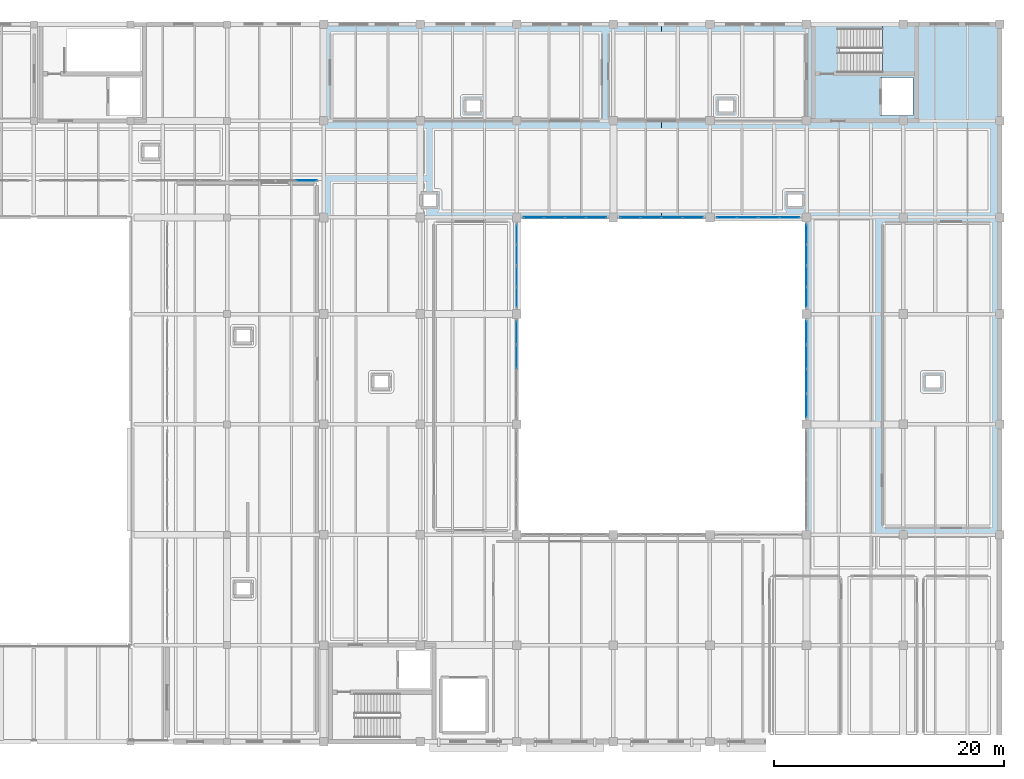
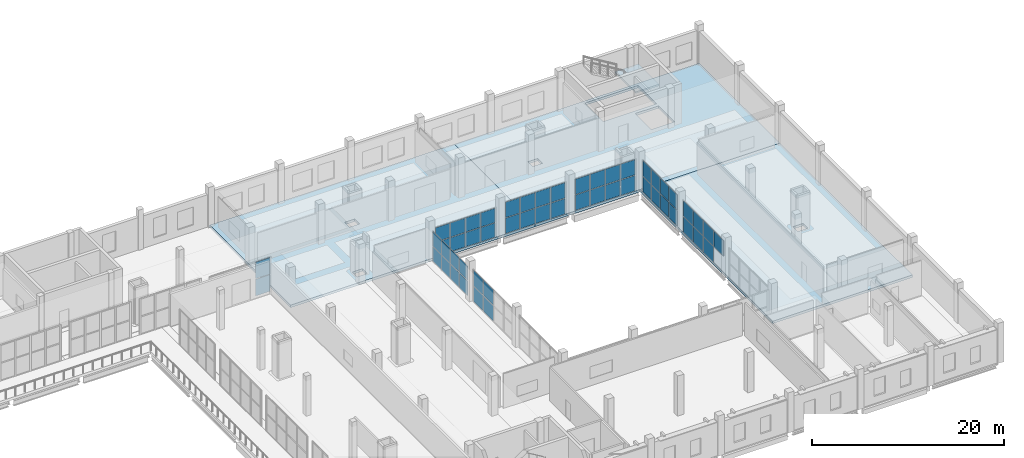
# One storey, part 55 of 77: 53 plates, 4 slabs, 9 elements without a shape of their own.
"""IFC4 building model written with IfcOpenShell, lengths in metres."""

from ifc_helpers import new_model, si_unit, direction, frame, origin, origin_2d, place, context, subcontext, project, spatial, polyline, rectangle, outline, extrude, material, layer, layer_set, type_object, element, aggregate, save


model = new_model("IFC4")

# Units and contexts
model_context = context("Model", 3, precision=1e-05, world=origin(), true_north=direction((0.0, 1.0)))
body_context = subcontext(model_context, "Body", "Model", "MODEL_VIEW")
ifc_project = project(units=[si_unit("LENGTHUNIT", "METRE"), si_unit("AREAUNIT", "SQUARE_METRE"), si_unit("VOLUMEUNIT", "CUBIC_METRE"), si_unit("PLANEANGLEUNIT", "RADIAN"), si_unit("MASSUNIT", "GRAM", prefix="KILO")], contexts=[model_context])

# Site, building, storey
site_placement = place(None, origin())
site = spatial("IfcSite", under=ifc_project, at=site_placement, CompositionType="ELEMENT")
building_placement = place(site_placement, origin())
building = spatial("IfcBuilding", under=site, at=building_placement, Name="Zulmaris Art Gallery", CompositionType="ELEMENT")
storey_placement = place(building_placement, frame((0.0, 0.0, 15.60009765625)))
storey = spatial("IfcBuildingStorey", under=building, at=storey_placement, Name="L03", CompositionType="ELEMENT", Elevation=15.60009765625)

# Curtain wall, plates
ifc_material_1 = material(Name="Unitised Low-E Gallery Curtain Wall", Category="aluminium")
ifc_layer_1 = layer(ifc_material_1, 0.179931640625)
ifc_layer_set_1 = layer_set([ifc_layer_1], Name="Unitised Low-E Gallery Curtain Wall")
curtain_wall_type_1 = type_object("IfcCurtainWallType", Name="CW-CW01", PredefinedType="NOTDEFINED", material=ifc_layer_set_1)
curtain_wall_1_placement = place(storey_placement, origin())
curtain_wall_1 = element("IfcCurtainWall", 1, at=curtain_wall_1_placement, inside=storey, type_object=curtain_wall_type_1, Name="L03 curtain wall 118", PredefinedType="NOTDEFINED")
ifc_material_2 = material(Name="Triple Solar-Control Laminated Glass", Category="glass")
ifc_layer_2 = layer(ifc_material_2, 0.035888671875)
ifc_layer_set_2 = layer_set([ifc_layer_2], Name="Triple Solar-Control Laminated Glass")
plate_type = type_object("IfcPlateType", Name="CWPAN-GLZ", PredefinedType="CURTAIN_PANEL", material=ifc_layer_set_2)
plate_1_placement = place(storey_placement, frame((140.126220703125, 62.0, 0.074951171875), z_axis=(0.0, 0.0, 1.0), x_axis=(1.0, 0.0, 0.0)))
plate_1 = element("IfcPlate", 2, at=plate_1_placement, type_object=plate_type, Name="CW01 panel 4.1", PredefinedType="CURTAIN_PANEL", context=body_context, shape_type="SweptSolid", body=[
    extrude(rectangle(XDim=1.717529296875, YDim=0.031982421875, at=origin_2d()), origin(), (0.0, 0.0, 1.0), 2.107421875),
])
plate_2_placement = place(storey_placement, frame((140.126220703125, 62.0, 2.25732421875), z_axis=(0.0, 0.0, 1.0), x_axis=(1.0, 0.0, 0.0)))
plate_2 = element("IfcPlate", 3, at=plate_2_placement, type_object=plate_type, Name="CW01 panel 4.2", PredefinedType="CURTAIN_PANEL", context=body_context, shape_type="SweptSolid", body=[
    extrude(rectangle(XDim=1.717529296875, YDim=0.031982421875, at=origin_2d()), origin(), (0.0, 0.0, 1.0), 2.107421875),
])
aggregate(curtain_wall_1, [plate_1, plate_2])

ifc_material_3 = material(Name="Courtyard Artists Studio Curtain Wall", Category="aluminium")
ifc_layer_3 = layer(ifc_material_3, 0.179931640625)
ifc_layer_set_3 = layer_set([ifc_layer_3], Name="Courtyard Artists Studio Curtain Wall")
curtain_wall_type_2 = type_object("IfcCurtainWallType", Name="CW-CW04", PredefinedType="NOTDEFINED", material=ifc_layer_set_3)
curtain_wall_2_placement = place(storey_placement, origin())
curtain_wall_2 = element("IfcCurtainWall", 4, at=curtain_wall_2_placement, inside=storey, type_object=curtain_wall_type_2, Name="L03 curtain wall 149", PredefinedType="NOTDEFINED")
plate_3_placement = place(storey_placement, frame((158.39990234375, 46.6650390625, 0.07470703125), z_axis=(0.0, 0.0, 1.0), x_axis=(0.0, 1.0, 0.0)))
plate_3 = element("IfcPlate", 5, at=plate_3_placement, type_object=plate_type, Name="CW04 panel 3.1", PredefinedType="CURTAIN_PANEL", context=body_context, shape_type="SweptSolid", body=[
    extrude(rectangle(XDim=2.054931640625, YDim=0.031982421875, at=origin_2d()), origin(), (0.0, 0.0, 1.0), 1.947509765625),
])
plate_4_placement = place(storey_placement, frame((158.39990234375, 46.6650390625, 2.09716796875), z_axis=(0.0, 0.0, 1.0), x_axis=(0.0, 1.0, 0.0)))
plate_4 = element("IfcPlate", 6, at=plate_4_placement, type_object=plate_type, Name="CW04 panel 3.2", PredefinedType="CURTAIN_PANEL", context=body_context, shape_type="SweptSolid", body=[
    extrude(rectangle(XDim=2.054931640625, YDim=0.031982421875, at=origin_2d()), origin(), (0.0, 0.0, 1.0), 1.947509765625),
])
plate_5_placement = place(storey_placement, frame((158.39990234375, 48.7763671875, 0.07470703125), z_axis=(0.0, 0.0, 1.0), x_axis=(0.0, 1.0, 0.0)))
plate_5 = element("IfcPlate", 7, at=plate_5_placement, type_object=plate_type, Name="CW04 panel 4.1", PredefinedType="CURTAIN_PANEL", context=body_context, shape_type="SweptSolid", body=[
    extrude(rectangle(XDim=2.017578125, YDim=0.031982421875, at=origin_2d()), origin(), (0.0, 0.0, 1.0), 1.947509765625),
])
plate_6_placement = place(storey_placement, frame((158.39990234375, 48.7763671875, 2.09716796875), z_axis=(0.0, 0.0, 1.0), x_axis=(0.0, 1.0, 0.0)))
plate_6 = element("IfcPlate", 8, at=plate_6_placement, type_object=plate_type, Name="CW04 panel 4.2", PredefinedType="CURTAIN_PANEL", context=body_context, shape_type="SweptSolid", body=[
    extrude(rectangle(XDim=2.017578125, YDim=0.031982421875, at=origin_2d()), origin(), (0.0, 0.0, 1.0), 1.947509765625),
])
aggregate(curtain_wall_2, [plate_3, plate_4, plate_5, plate_6])

curtain_wall_3_placement = place(storey_placement, origin())
curtain_wall_3 = element("IfcCurtainWall", 9, at=curtain_wall_3_placement, inside=storey, type_object=curtain_wall_type_2, Name="L03 curtain wall 150", PredefinedType="NOTDEFINED")
plate_7_placement = place(storey_placement, frame((183.60009765625, 48.7763671875, 0.07470703125), z_axis=(0.0, 0.0, 1.0), x_axis=(0.0, -1.0, 0.0)))
plate_7 = element("IfcPlate", 10, at=plate_7_placement, type_object=plate_type, Name="CW04 panel 1.1", PredefinedType="CURTAIN_PANEL", context=body_context, shape_type="SweptSolid", body=[
    extrude(rectangle(XDim=2.017578125, YDim=0.031982421875, at=origin_2d()), origin(), (0.0, 0.0, 1.0), 1.947509765625),
])
plate_8_placement = place(storey_placement, frame((183.60009765625, 48.7763671875, 2.09716796875), z_axis=(0.0, 0.0, 1.0), x_axis=(0.0, -1.0, 0.0)))
plate_8 = element("IfcPlate", 11, at=plate_8_placement, type_object=plate_type, Name="CW04 panel 1.2", PredefinedType="CURTAIN_PANEL", context=body_context, shape_type="SweptSolid", body=[
    extrude(rectangle(XDim=2.017578125, YDim=0.031982421875, at=origin_2d()), origin(), (0.0, 0.0, 1.0), 1.947509765625),
])
plate_9_placement = place(storey_placement, frame((183.60009765625, 46.6650390625, 0.07470703125), z_axis=(0.0, 0.0, 1.0), x_axis=(0.0, -1.0, 0.0)))
plate_9 = element("IfcPlate", 12, at=plate_9_placement, type_object=plate_type, Name="CW04 panel 2.1", PredefinedType="CURTAIN_PANEL", context=body_context, shape_type="SweptSolid", body=[
    extrude(rectangle(XDim=2.054931640625, YDim=0.031982421875, at=origin_2d()), origin(), (0.0, 0.0, 1.0), 1.947509765625),
])
plate_10_placement = place(storey_placement, frame((183.60009765625, 46.6650390625, 2.09716796875), z_axis=(0.0, 0.0, 1.0), x_axis=(0.0, -1.0, 0.0)))
plate_10 = element("IfcPlate", 13, at=plate_10_placement, type_object=plate_type, Name="CW04 panel 2.2", PredefinedType="CURTAIN_PANEL", context=body_context, shape_type="SweptSolid", body=[
    extrude(rectangle(XDim=2.054931640625, YDim=0.031982421875, at=origin_2d()), origin(), (0.0, 0.0, 1.0), 1.947509765625),
])
plate_11_placement = place(storey_placement, frame((183.60009765625, 44.534912109375, 0.07470703125), z_axis=(0.0, 0.0, 1.0), x_axis=(0.0, -1.0, 0.0)))
plate_11 = element("IfcPlate", 14, at=plate_11_placement, type_object=plate_type, Name="CW04 panel 3.1", PredefinedType="CURTAIN_PANEL", context=body_context, shape_type="SweptSolid", body=[
    extrude(rectangle(XDim=2.054931640625, YDim=0.031982421875, at=origin_2d()), origin(), (0.0, 0.0, 1.0), 1.947509765625),
])
plate_12_placement = place(storey_placement, frame((183.60009765625, 44.534912109375, 2.09716796875), z_axis=(0.0, 0.0, 1.0), x_axis=(0.0, -1.0, 0.0)))
plate_12 = element("IfcPlate", 15, at=plate_12_placement, type_object=plate_type, Name="CW04 panel 3.2", PredefinedType="CURTAIN_PANEL", context=body_context, shape_type="SweptSolid", body=[
    extrude(rectangle(XDim=2.054931640625, YDim=0.031982421875, at=origin_2d()), origin(), (0.0, 0.0, 1.0), 1.947509765625),
])
plate_13_placement = place(storey_placement, frame((183.60009765625, 42.423828125, 2.09716796875), z_axis=(0.0, 0.0, 1.0), x_axis=(0.0, -1.0, 0.0)))
plate_13 = element("IfcPlate", 16, at=plate_13_placement, type_object=plate_type, Name="CW04 panel 4.2", PredefinedType="CURTAIN_PANEL", context=body_context, shape_type="SweptSolid", body=[
    extrude(rectangle(XDim=2.017578125, YDim=0.031982421875, at=origin_2d()), origin(), (0.0, 0.0, 1.0), 1.947509765625),
])
aggregate(curtain_wall_3, [plate_7, plate_8, plate_9, plate_10, plate_11, plate_12, plate_13])

curtain_wall_4_placement = place(storey_placement, origin())
curtain_wall_4 = element("IfcCurtainWall", 17, at=curtain_wall_4_placement, inside=storey, type_object=curtain_wall_type_2, Name="L03 curtain wall 151", PredefinedType="NOTDEFINED")
plate_14_placement = place(storey_placement, frame((158.39990234375, 51.873779296875, 0.07470703125), z_axis=(0.0, 0.0, 1.0), x_axis=(0.0, 1.0, 0.0)))
plate_14 = element("IfcPlate", 18, at=plate_14_placement, type_object=plate_type, Name="CW04 panel 1.1", PredefinedType="CURTAIN_PANEL", context=body_context, shape_type="SweptSolid", body=[
    extrude(rectangle(XDim=1.717529296875, YDim=0.031982421875, at=origin_2d()), origin(), (0.0, 0.0, 1.0), 1.842529296875),
])
plate_15_placement = place(storey_placement, frame((158.39990234375, 51.873779296875, 1.9921875), z_axis=(0.0, 0.0, 1.0), x_axis=(0.0, 1.0, 0.0)))
plate_15 = element("IfcPlate", 19, at=plate_15_placement, type_object=plate_type, Name="CW04 panel 1.2", PredefinedType="CURTAIN_PANEL", context=body_context, shape_type="SweptSolid", body=[
    extrude(rectangle(XDim=1.717529296875, YDim=0.031982421875, at=origin_2d()), origin(), (0.0, 0.0, 1.0), 1.842529296875),
])
plate_16_placement = place(storey_placement, frame((158.39990234375, 53.68505859375, 0.07470703125), z_axis=(0.0, 0.0, 1.0), x_axis=(0.0, 1.0, 0.0)))
plate_16 = element("IfcPlate", 20, at=plate_16_placement, type_object=plate_type, Name="CW04 panel 2.1", PredefinedType="CURTAIN_PANEL", context=body_context, shape_type="SweptSolid", body=[
    extrude(rectangle(XDim=1.7548828125, YDim=0.031982421875, at=origin_2d()), origin(), (0.0, 0.0, 1.0), 1.842529296875),
])
plate_17_placement = place(storey_placement, frame((158.39990234375, 53.68505859375, 1.9921875), z_axis=(0.0, 0.0, 1.0), x_axis=(0.0, 1.0, 0.0)))
plate_17 = element("IfcPlate", 21, at=plate_17_placement, type_object=plate_type, Name="CW04 panel 2.2", PredefinedType="CURTAIN_PANEL", context=body_context, shape_type="SweptSolid", body=[
    extrude(rectangle(XDim=1.7548828125, YDim=0.031982421875, at=origin_2d()), origin(), (0.0, 0.0, 1.0), 1.842529296875),
])
plate_18_placement = place(storey_placement, frame((158.39990234375, 55.514892578125, 0.07470703125), z_axis=(0.0, 0.0, 1.0), x_axis=(0.0, 1.0, 0.0)))
plate_18 = element("IfcPlate", 22, at=plate_18_placement, type_object=plate_type, Name="CW04 panel 3.1", PredefinedType="CURTAIN_PANEL", context=body_context, shape_type="SweptSolid", body=[
    extrude(rectangle(XDim=1.7548828125, YDim=0.031982421875, at=origin_2d()), origin(), (0.0, 0.0, 1.0), 1.842529296875),
])
plate_19_placement = place(storey_placement, frame((158.39990234375, 55.514892578125, 1.9921875), z_axis=(0.0, 0.0, 1.0), x_axis=(0.0, 1.0, 0.0)))
plate_19 = element("IfcPlate", 23, at=plate_19_placement, type_object=plate_type, Name="CW04 panel 3.2", PredefinedType="CURTAIN_PANEL", context=body_context, shape_type="SweptSolid", body=[
    extrude(rectangle(XDim=1.7548828125, YDim=0.031982421875, at=origin_2d()), origin(), (0.0, 0.0, 1.0), 1.842529296875),
])
plate_20_placement = place(storey_placement, frame((158.39990234375, 57.326171875, 0.07470703125), z_axis=(0.0, 0.0, 1.0), x_axis=(0.0, 1.0, 0.0)))
plate_20 = element("IfcPlate", 24, at=plate_20_placement, type_object=plate_type, Name="CW04 panel 4.1", PredefinedType="CURTAIN_PANEL", context=body_context, shape_type="SweptSolid", body=[
    extrude(rectangle(XDim=1.717529296875, YDim=0.031982421875, at=origin_2d()), origin(), (0.0, 0.0, 1.0), 1.842529296875),
])
plate_21_placement = place(storey_placement, frame((158.39990234375, 57.326171875, 1.9921875), z_axis=(0.0, 0.0, 1.0), x_axis=(0.0, 1.0, 0.0)))
plate_21 = element("IfcPlate", 25, at=plate_21_placement, type_object=plate_type, Name="CW04 panel 4.2", PredefinedType="CURTAIN_PANEL", context=body_context, shape_type="SweptSolid", body=[
    extrude(rectangle(XDim=1.717529296875, YDim=0.031982421875, at=origin_2d()), origin(), (0.0, 0.0, 1.0), 1.842529296875),
])
aggregate(curtain_wall_4, [plate_14, plate_15, plate_16, plate_17, plate_18, plate_19, plate_20, plate_21])

curtain_wall_5_placement = place(storey_placement, origin())
curtain_wall_5 = element("IfcCurtainWall", 26, at=curtain_wall_5_placement, inside=storey, type_object=curtain_wall_type_2, Name="L03 curtain wall 152", PredefinedType="NOTDEFINED")
plate_22_placement = place(storey_placement, frame((183.60009765625, 57.326171875, 0.074951171875), z_axis=(0.0, 0.0, 1.0), x_axis=(0.0, -1.0, 0.0)))
plate_22 = element("IfcPlate", 27, at=plate_22_placement, type_object=plate_type, Name="CW04 panel 1.1", PredefinedType="CURTAIN_PANEL", context=body_context, shape_type="SweptSolid", body=[
    extrude(rectangle(XDim=1.717529296875, YDim=0.031982421875, at=origin_2d()), origin(), (0.0, 0.0, 1.0), 1.9423828125),
])
plate_23_placement = place(storey_placement, frame((183.60009765625, 57.326171875, 2.092529296875), z_axis=(0.0, 0.0, 1.0), x_axis=(0.0, -1.0, 0.0)))
plate_23 = element("IfcPlate", 28, at=plate_23_placement, type_object=plate_type, Name="CW04 panel 1.2", PredefinedType="CURTAIN_PANEL", context=body_context, shape_type="SweptSolid", body=[
    extrude(rectangle(XDim=1.717529296875, YDim=0.031982421875, at=origin_2d()), origin(), (0.0, 0.0, 1.0), 1.9423828125),
])
plate_24_placement = place(storey_placement, frame((183.60009765625, 55.514892578125, 0.074951171875), z_axis=(0.0, 0.0, 1.0), x_axis=(0.0, -1.0, 0.0)))
plate_24 = element("IfcPlate", 29, at=plate_24_placement, type_object=plate_type, Name="CW04 panel 2.1", PredefinedType="CURTAIN_PANEL", context=body_context, shape_type="SweptSolid", body=[
    extrude(rectangle(XDim=1.7548828125, YDim=0.031982421875, at=origin_2d()), origin(), (0.0, 0.0, 1.0), 1.9423828125),
])
plate_25_placement = place(storey_placement, frame((183.60009765625, 55.514892578125, 2.092529296875), z_axis=(0.0, 0.0, 1.0), x_axis=(0.0, -1.0, 0.0)))
plate_25 = element("IfcPlate", 30, at=plate_25_placement, type_object=plate_type, Name="CW04 panel 2.2", PredefinedType="CURTAIN_PANEL", context=body_context, shape_type="SweptSolid", body=[
    extrude(rectangle(XDim=1.7548828125, YDim=0.031982421875, at=origin_2d()), origin(), (0.0, 0.0, 1.0), 1.9423828125),
])
plate_26_placement = place(storey_placement, frame((183.60009765625, 53.68505859375, 0.074951171875), z_axis=(0.0, 0.0, 1.0), x_axis=(0.0, -1.0, 0.0)))
plate_26 = element("IfcPlate", 31, at=plate_26_placement, type_object=plate_type, Name="CW04 panel 3.1", PredefinedType="CURTAIN_PANEL", context=body_context, shape_type="SweptSolid", body=[
    extrude(rectangle(XDim=1.7548828125, YDim=0.031982421875, at=origin_2d()), origin(), (0.0, 0.0, 1.0), 1.9423828125),
])
plate_27_placement = place(storey_placement, frame((183.60009765625, 53.68505859375, 2.092529296875), z_axis=(0.0, 0.0, 1.0), x_axis=(0.0, -1.0, 0.0)))
plate_27 = element("IfcPlate", 32, at=plate_27_placement, type_object=plate_type, Name="CW04 panel 3.2", PredefinedType="CURTAIN_PANEL", context=body_context, shape_type="SweptSolid", body=[
    extrude(rectangle(XDim=1.7548828125, YDim=0.031982421875, at=origin_2d()), origin(), (0.0, 0.0, 1.0), 1.9423828125),
])
plate_28_placement = place(storey_placement, frame((183.60009765625, 51.873779296875, 0.074951171875), z_axis=(0.0, 0.0, 1.0), x_axis=(0.0, -1.0, 0.0)))
plate_28 = element("IfcPlate", 33, at=plate_28_placement, type_object=plate_type, Name="CW04 panel 4.1", PredefinedType="CURTAIN_PANEL", context=body_context, shape_type="SweptSolid", body=[
    extrude(rectangle(XDim=1.717529296875, YDim=0.031982421875, at=origin_2d()), origin(), (0.0, 0.0, 1.0), 1.9423828125),
])
plate_29_placement = place(storey_placement, frame((183.60009765625, 51.873779296875, 2.092529296875), z_axis=(0.0, 0.0, 1.0), x_axis=(0.0, -1.0, 0.0)))
plate_29 = element("IfcPlate", 34, at=plate_29_placement, type_object=plate_type, Name="CW04 panel 4.2", PredefinedType="CURTAIN_PANEL", context=body_context, shape_type="SweptSolid", body=[
    extrude(rectangle(XDim=1.717529296875, YDim=0.031982421875, at=origin_2d()), origin(), (0.0, 0.0, 1.0), 1.9423828125),
])
aggregate(curtain_wall_5, [plate_22, plate_23, plate_24, plate_25, plate_26, plate_27, plate_28, plate_29])

curtain_wall_6_placement = place(storey_placement, origin())
curtain_wall_6 = element("IfcCurtainWall", 35, at=curtain_wall_6_placement, inside=storey, type_object=curtain_wall_type_2, Name="L03 curtain wall 153", PredefinedType="NOTDEFINED")
plate_30_placement = place(storey_placement, frame((165.326171875, 58.800048828125, 0.074951171875), z_axis=(0.0, 0.0, 1.0), x_axis=(-1.0, 0.0, 0.0)))
plate_30 = element("IfcPlate", 36, at=plate_30_placement, type_object=plate_type, Name="CW04 panel 1.1", PredefinedType="CURTAIN_PANEL", context=body_context, shape_type="SweptSolid", body=[
    extrude(rectangle(XDim=1.717529296875, YDim=0.031982421875, at=origin_2d()), origin(), (0.0, 0.0, 1.0), 1.79248046875),
])
plate_31_placement = place(storey_placement, frame((165.326171875, 58.800048828125, 1.9423828125), z_axis=(0.0, 0.0, 1.0), x_axis=(-1.0, 0.0, 0.0)))
plate_31 = element("IfcPlate", 37, at=plate_31_placement, type_object=plate_type, Name="CW04 panel 1.2", PredefinedType="CURTAIN_PANEL", context=body_context, shape_type="SweptSolid", body=[
    extrude(rectangle(XDim=1.717529296875, YDim=0.031982421875, at=origin_2d()), origin(), (0.0, 0.0, 1.0), 1.79248046875),
])
plate_32_placement = place(storey_placement, frame((163.514892578125, 58.800048828125, 0.074951171875), z_axis=(0.0, 0.0, 1.0), x_axis=(-1.0, 0.0, 0.0)))
plate_32 = element("IfcPlate", 38, at=plate_32_placement, type_object=plate_type, Name="CW04 panel 2.1", PredefinedType="CURTAIN_PANEL", context=body_context, shape_type="SweptSolid", body=[
    extrude(rectangle(XDim=1.7548828125, YDim=0.031982421875, at=origin_2d()), origin(), (0.0, 0.0, 1.0), 1.79248046875),
])
plate_33_placement = place(storey_placement, frame((163.514892578125, 58.800048828125, 1.9423828125), z_axis=(0.0, 0.0, 1.0), x_axis=(-1.0, 0.0, 0.0)))
plate_33 = element("IfcPlate", 39, at=plate_33_placement, type_object=plate_type, Name="CW04 panel 2.2", PredefinedType="CURTAIN_PANEL", context=body_context, shape_type="SweptSolid", body=[
    extrude(rectangle(XDim=1.7548828125, YDim=0.031982421875, at=origin_2d()), origin(), (0.0, 0.0, 1.0), 1.79248046875),
])
plate_34_placement = place(storey_placement, frame((161.68505859375, 58.800048828125, 0.074951171875), z_axis=(0.0, 0.0, 1.0), x_axis=(-1.0, 0.0, 0.0)))
plate_34 = element("IfcPlate", 40, at=plate_34_placement, type_object=plate_type, Name="CW04 panel 3.1", PredefinedType="CURTAIN_PANEL", context=body_context, shape_type="SweptSolid", body=[
    extrude(rectangle(XDim=1.7548828125, YDim=0.031982421875, at=origin_2d()), origin(), (0.0, 0.0, 1.0), 1.79248046875),
])
plate_35_placement = place(storey_placement, frame((161.68505859375, 58.800048828125, 1.9423828125), z_axis=(0.0, 0.0, 1.0), x_axis=(-1.0, 0.0, 0.0)))
plate_35 = element("IfcPlate", 41, at=plate_35_placement, type_object=plate_type, Name="CW04 panel 3.2", PredefinedType="CURTAIN_PANEL", context=body_context, shape_type="SweptSolid", body=[
    extrude(rectangle(XDim=1.7548828125, YDim=0.031982421875, at=origin_2d()), origin(), (0.0, 0.0, 1.0), 1.79248046875),
])
plate_36_placement = place(storey_placement, frame((159.873779296875, 58.800048828125, 0.074951171875), z_axis=(0.0, 0.0, 1.0), x_axis=(-1.0, 0.0, 0.0)))
plate_36 = element("IfcPlate", 42, at=plate_36_placement, type_object=plate_type, Name="CW04 panel 4.1", PredefinedType="CURTAIN_PANEL", context=body_context, shape_type="SweptSolid", body=[
    extrude(rectangle(XDim=1.717529296875, YDim=0.031982421875, at=origin_2d()), origin(), (0.0, 0.0, 1.0), 1.79248046875),
])
plate_37_placement = place(storey_placement, frame((159.873779296875, 58.800048828125, 1.9423828125), z_axis=(0.0, 0.0, 1.0), x_axis=(-1.0, 0.0, 0.0)))
plate_37 = element("IfcPlate", 43, at=plate_37_placement, type_object=plate_type, Name="CW04 panel 4.2", PredefinedType="CURTAIN_PANEL", context=body_context, shape_type="SweptSolid", body=[
    extrude(rectangle(XDim=1.717529296875, YDim=0.031982421875, at=origin_2d()), origin(), (0.0, 0.0, 1.0), 1.79248046875),
])
aggregate(curtain_wall_6, [plate_30, plate_31, plate_32, plate_33, plate_34, plate_35, plate_36, plate_37])

curtain_wall_7_placement = place(storey_placement, origin())
curtain_wall_7 = element("IfcCurtainWall", 44, at=curtain_wall_7_placement, inside=storey, type_object=curtain_wall_type_2, Name="L03 curtain wall 155", PredefinedType="NOTDEFINED")
plate_38_placement = place(storey_placement, frame((173.726318359375, 58.800048828125, 0.07470703125), z_axis=(0.0, 0.0, 1.0), x_axis=(-1.0, 0.0, 0.0)))
plate_38 = element("IfcPlate", 45, at=plate_38_placement, type_object=plate_type, Name="CW04 panel 1.1", PredefinedType="CURTAIN_PANEL", context=body_context, shape_type="SweptSolid", body=[
    extrude(rectangle(XDim=1.717529296875, YDim=0.031982421875, at=origin_2d()), origin(), (0.0, 0.0, 1.0), 1.947509765625),
])
plate_39_placement = place(storey_placement, frame((173.726318359375, 58.800048828125, 2.09716796875), z_axis=(0.0, 0.0, 1.0), x_axis=(-1.0, 0.0, 0.0)))
plate_39 = element("IfcPlate", 46, at=plate_39_placement, type_object=plate_type, Name="CW04 panel 1.2", PredefinedType="CURTAIN_PANEL", context=body_context, shape_type="SweptSolid", body=[
    extrude(rectangle(XDim=1.717529296875, YDim=0.031982421875, at=origin_2d()), origin(), (0.0, 0.0, 1.0), 1.947509765625),
])
plate_40_placement = place(storey_placement, frame((171.9150390625, 58.800048828125, 0.07470703125), z_axis=(0.0, 0.0, 1.0), x_axis=(-1.0, 0.0, 0.0)))
plate_40 = element("IfcPlate", 47, at=plate_40_placement, type_object=plate_type, Name="CW04 panel 2.1", PredefinedType="CURTAIN_PANEL", context=body_context, shape_type="SweptSolid", body=[
    extrude(rectangle(XDim=1.7548828125, YDim=0.031982421875, at=origin_2d()), origin(), (0.0, 0.0, 1.0), 1.947509765625),
])
plate_41_placement = place(storey_placement, frame((171.9150390625, 58.800048828125, 2.09716796875), z_axis=(0.0, 0.0, 1.0), x_axis=(-1.0, 0.0, 0.0)))
plate_41 = element("IfcPlate", 48, at=plate_41_placement, type_object=plate_type, Name="CW04 panel 2.2", PredefinedType="CURTAIN_PANEL", context=body_context, shape_type="SweptSolid", body=[
    extrude(rectangle(XDim=1.7548828125, YDim=0.031982421875, at=origin_2d()), origin(), (0.0, 0.0, 1.0), 1.947509765625),
])
plate_42_placement = place(storey_placement, frame((170.0849609375, 58.800048828125, 0.07470703125), z_axis=(0.0, 0.0, 1.0), x_axis=(-1.0, 0.0, 0.0)))
plate_42 = element("IfcPlate", 49, at=plate_42_placement, type_object=plate_type, Name="CW04 panel 3.1", PredefinedType="CURTAIN_PANEL", context=body_context, shape_type="SweptSolid", body=[
    extrude(rectangle(XDim=1.7548828125, YDim=0.031982421875, at=origin_2d()), origin(), (0.0, 0.0, 1.0), 1.947509765625),
])
plate_43_placement = place(storey_placement, frame((170.0849609375, 58.800048828125, 2.09716796875), z_axis=(0.0, 0.0, 1.0), x_axis=(-1.0, 0.0, 0.0)))
plate_43 = element("IfcPlate", 50, at=plate_43_placement, type_object=plate_type, Name="CW04 panel 3.2", PredefinedType="CURTAIN_PANEL", context=body_context, shape_type="SweptSolid", body=[
    extrude(rectangle(XDim=1.7548828125, YDim=0.031982421875, at=origin_2d()), origin(), (0.0, 0.0, 1.0), 1.947509765625),
])
plate_44_placement = place(storey_placement, frame((168.273681640625, 58.800048828125, 0.07470703125), z_axis=(0.0, 0.0, 1.0), x_axis=(-1.0, 0.0, 0.0)))
plate_44 = element("IfcPlate", 51, at=plate_44_placement, type_object=plate_type, Name="CW04 panel 4.1", PredefinedType="CURTAIN_PANEL", context=body_context, shape_type="SweptSolid", body=[
    extrude(rectangle(XDim=1.717529296875, YDim=0.031982421875, at=origin_2d()), origin(), (0.0, 0.0, 1.0), 1.947509765625),
])
plate_45_placement = place(storey_placement, frame((168.273681640625, 58.800048828125, 2.09716796875), z_axis=(0.0, 0.0, 1.0), x_axis=(-1.0, 0.0, 0.0)))
plate_45 = element("IfcPlate", 52, at=plate_45_placement, type_object=plate_type, Name="CW04 panel 4.2", PredefinedType="CURTAIN_PANEL", context=body_context, shape_type="SweptSolid", body=[
    extrude(rectangle(XDim=1.717529296875, YDim=0.031982421875, at=origin_2d()), origin(), (0.0, 0.0, 1.0), 1.947509765625),
])
aggregate(curtain_wall_7, [plate_38, plate_39, plate_40, plate_41, plate_42, plate_43, plate_44, plate_45])

curtain_wall_8_placement = place(storey_placement, origin())
curtain_wall_8 = element("IfcCurtainWall", 53, at=curtain_wall_8_placement, inside=storey, type_object=curtain_wall_type_2, Name="L03 curtain wall 157", PredefinedType="NOTDEFINED")
plate_46_placement = place(storey_placement, frame((182.126220703125, 58.800048828125, 0.074951171875), z_axis=(0.0, 0.0, 1.0), x_axis=(-1.0, 0.0, 0.0)))
plate_46 = element("IfcPlate", 54, at=plate_46_placement, type_object=plate_type, Name="CW04 panel 1.1", PredefinedType="CURTAIN_PANEL", context=body_context, shape_type="SweptSolid", body=[
    extrude(rectangle(XDim=1.717529296875, YDim=0.031982421875, at=origin_2d()), origin(), (0.0, 0.0, 1.0), 1.9423828125),
])
plate_47_placement = place(storey_placement, frame((182.126220703125, 58.800048828125, 2.092529296875), z_axis=(0.0, 0.0, 1.0), x_axis=(-1.0, 0.0, 0.0)))
plate_47 = element("IfcPlate", 55, at=plate_47_placement, type_object=plate_type, Name="CW04 panel 1.2", PredefinedType="CURTAIN_PANEL", context=body_context, shape_type="SweptSolid", body=[
    extrude(rectangle(XDim=1.717529296875, YDim=0.031982421875, at=origin_2d()), origin(), (0.0, 0.0, 1.0), 1.9423828125),
])
plate_48_placement = place(storey_placement, frame((180.31494140625, 58.800048828125, 0.074951171875), z_axis=(0.0, 0.0, 1.0), x_axis=(-1.0, 0.0, 0.0)))
plate_48 = element("IfcPlate", 56, at=plate_48_placement, type_object=plate_type, Name="CW04 panel 2.1", PredefinedType="CURTAIN_PANEL", context=body_context, shape_type="SweptSolid", body=[
    extrude(rectangle(XDim=1.7548828125, YDim=0.031982421875, at=origin_2d()), origin(), (0.0, 0.0, 1.0), 1.9423828125),
])
plate_49_placement = place(storey_placement, frame((180.31494140625, 58.800048828125, 2.092529296875), z_axis=(0.0, 0.0, 1.0), x_axis=(-1.0, 0.0, 0.0)))
plate_49 = element("IfcPlate", 57, at=plate_49_placement, type_object=plate_type, Name="CW04 panel 2.2", PredefinedType="CURTAIN_PANEL", context=body_context, shape_type="SweptSolid", body=[
    extrude(rectangle(XDim=1.7548828125, YDim=0.031982421875, at=origin_2d()), origin(), (0.0, 0.0, 1.0), 1.9423828125),
])
plate_50_placement = place(storey_placement, frame((178.485107421875, 58.800048828125, 0.074951171875), z_axis=(0.0, 0.0, 1.0), x_axis=(-1.0, 0.0, 0.0)))
plate_50 = element("IfcPlate", 58, at=plate_50_placement, type_object=plate_type, Name="CW04 panel 3.1", PredefinedType="CURTAIN_PANEL", context=body_context, shape_type="SweptSolid", body=[
    extrude(rectangle(XDim=1.7548828125, YDim=0.031982421875, at=origin_2d()), origin(), (0.0, 0.0, 1.0), 1.9423828125),
])
plate_51_placement = place(storey_placement, frame((178.485107421875, 58.800048828125, 2.092529296875), z_axis=(0.0, 0.0, 1.0), x_axis=(-1.0, 0.0, 0.0)))
plate_51 = element("IfcPlate", 59, at=plate_51_placement, type_object=plate_type, Name="CW04 panel 3.2", PredefinedType="CURTAIN_PANEL", context=body_context, shape_type="SweptSolid", body=[
    extrude(rectangle(XDim=1.7548828125, YDim=0.031982421875, at=origin_2d()), origin(), (0.0, 0.0, 1.0), 1.9423828125),
])
plate_52_placement = place(storey_placement, frame((176.673828125, 58.800048828125, 0.074951171875), z_axis=(0.0, 0.0, 1.0), x_axis=(-1.0, 0.0, 0.0)))
plate_52 = element("IfcPlate", 60, at=plate_52_placement, type_object=plate_type, Name="CW04 panel 4.1", PredefinedType="CURTAIN_PANEL", context=body_context, shape_type="SweptSolid", body=[
    extrude(rectangle(XDim=1.717529296875, YDim=0.031982421875, at=origin_2d()), origin(), (0.0, 0.0, 1.0), 1.9423828125),
])
plate_53_placement = place(storey_placement, frame((176.673828125, 58.800048828125, 2.092529296875), z_axis=(0.0, 0.0, 1.0), x_axis=(-1.0, 0.0, 0.0)))
plate_53 = element("IfcPlate", 61, at=plate_53_placement, type_object=plate_type, Name="CW04 panel 4.2", PredefinedType="CURTAIN_PANEL", context=body_context, shape_type="SweptSolid", body=[
    extrude(rectangle(XDim=1.717529296875, YDim=0.031982421875, at=origin_2d()), origin(), (0.0, 0.0, 1.0), 1.9423828125),
])
aggregate(curtain_wall_8, [plate_46, plate_47, plate_48, plate_49, plate_50, plate_51, plate_52, plate_53])

# Slabs
ifc_material_4 = material(Name="Concrete C40/50", Category="concrete")
ifc_layer_4 = layer(ifc_material_4, 0.31005859375)
ifc_layer_set_4 = layer_set([ifc_layer_4], Name="Concrete C40/50")
slab_type_1 = type_object("IfcSlabType", Name="SLAB-SL-FL03", PredefinedType="FLOOR", material=ifc_layer_set_4)
slab_1_placement = place(storey_placement, frame((0.0, 0.0, -0.31005859375)))
element("IfcSlab", 62, at=slab_1_placement, inside=storey, type_object=slab_type_1, Name="L03 V5-E slab", PredefinedType="FLOOR", context=body_context, shape_type="SweptSolid", body=[
    extrude(outline(polyline([(183.60009765625, 31.199951171875), (183.60009765625, 58.800048828125), (200.39990234375, 58.800048828125), (200.39990234375, 31.199951171875), (183.60009765625, 31.199951171875)]), holes=[polyline([(195.199951171875, 44.0), (195.199951171875, 45.0), (194.0, 45.0), (194.0, 44.0), (195.199951171875, 44.0)])]), origin(), (0.0, 0.0, 1.0), 0.31005859375),
])
slab_2_placement = place(storey_placement, frame((0.0, 0.0, -0.31005859375)))
element("IfcSlab", 63, at=slab_2_placement, inside=storey, type_object=slab_type_1, Name="L03 V5-NW slab", PredefinedType="FLOOR", context=body_context, shape_type="SweptSolid", body=[
    extrude(outline(polyline([(171.0, 75.60009765625), (171.0, 58.800048828125), (158.39990234375, 58.800048828125), (141.60009765625, 58.800048828125), (141.60009765625, 75.60009765625), (171.0, 75.60009765625)]), holes=[polyline([(151.39990234375, 59.800048828125), (151.39990234375, 60.800048828125), (150.199951171875, 60.800048828125), (150.199951171875, 59.800048828125), (151.39990234375, 59.800048828125)]), polyline([(155.199951171875, 68.0), (155.199951171875, 69.0), (154.0, 69.0), (154.0, 68.0), (155.199951171875, 68.0)])]), origin(), (0.0, 0.0, 1.0), 0.31005859375),
])
slab_3_placement = place(storey_placement, frame((0.0, 0.0, -0.31005859375)))
element("IfcSlab", 64, at=slab_3_placement, inside=storey, type_object=slab_type_1, Name="L03 V5-NE slab", PredefinedType="FLOOR", context=body_context, shape_type="SweptSolid", body=[
    extrude(outline(polyline([(200.39990234375, 58.800048828125), (183.60009765625, 58.800048828125), (171.0, 58.800048828125), (171.0, 75.60009765625), (200.39990234375, 75.60009765625), (200.39990234375, 58.800048828125)]), holes=[polyline([(183.199951171875, 59.800048828125), (183.199951171875, 60.800048828125), (182.0, 60.800048828125), (182.0, 59.800048828125), (183.199951171875, 59.800048828125)]), polyline([(177.199951171875, 68.0), (177.199951171875, 69.0), (176.0, 69.0), (176.0, 68.0), (177.199951171875, 68.0)]), polyline([(192.85009765625, 67.64990234375), (192.85009765625, 70.97998046875), (190.050048828125, 70.97998046875), (190.050048828125, 67.64990234375), (192.85009765625, 67.64990234375)]), polyline([(186.4599609375, 71.409912109375), (192.85009765625, 71.409912109375), (192.85009765625, 75.25), (186.4599609375, 75.25), (186.4599609375, 71.409912109375)])]), origin(), (0.0, 0.0, 1.0), 0.31005859375),
])

# Stair, slab
stair_type = type_object("IfcStairType", Name="STAIR-CORE", PredefinedType="HALF_TURN_STAIR", material=ifc_material_4)
stair_placement = place(storey_placement, origin())
stair = element("IfcStair", 65, at=stair_placement, inside=storey, type_object=stair_type, Name="L03 Exit Stair ST4", PredefinedType="HALF_TURN_STAIR")
ifc_layer_5 = layer(ifc_material_4, 0.2099609375)
ifc_layer_set_5 = layer_set([ifc_layer_5], Name="Concrete C40/50")
slab_type_2 = type_object("IfcSlabType", Name="SLAB-STLND", PredefinedType="LANDING", material=ifc_layer_set_5)
slab_4_placement = place(storey_placement, frame((0.0, 0.0, 2.349853515625)))
slab_4 = element("IfcSlab", 66, at=slab_4_placement, type_object=slab_type_2, Name="ST4 landing 1", PredefinedType="LANDING", context=body_context, shape_type="SweptSolid", body=[
    extrude(outline(polyline([(190.219970703125, 71.18994140625), (193.050048828125, 71.18994140625), (193.050048828125, 75.469970703125), (190.219970703125, 75.469970703125), (190.219970703125, 71.18994140625)])), origin(), (0.0, 0.0, 1.0), 0.199951171875),
])
aggregate(stair, [slab_4])

save(model, "model.ifc")
